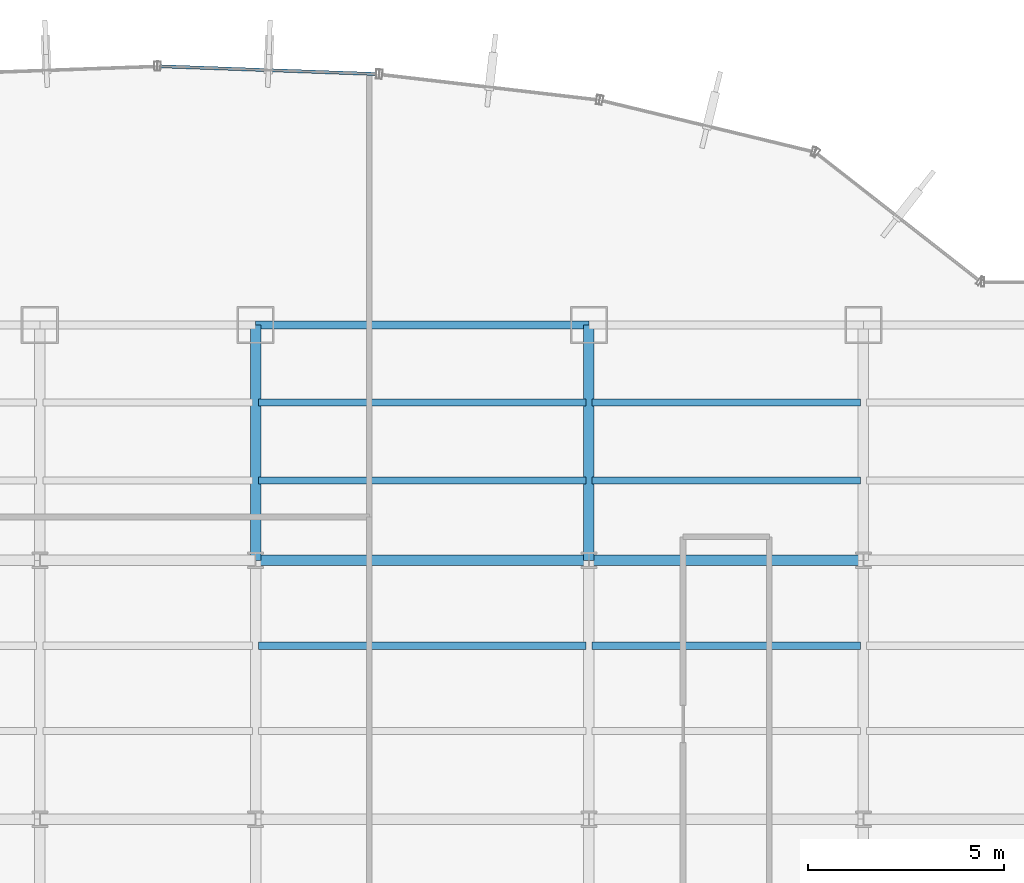
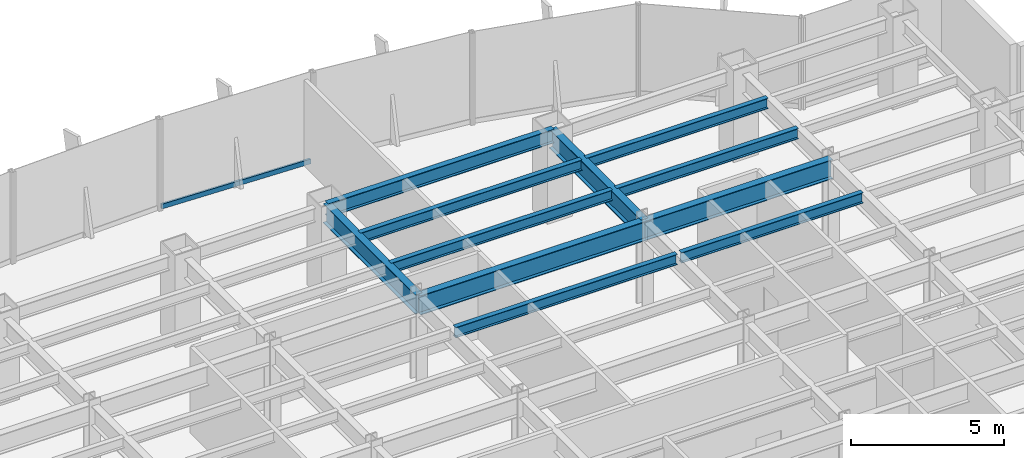
# One storey, part 13 of 22: 11 beams, 1 member, 1 element without a shape of its own.
"""IFC4 building model written with IfcOpenShell, lengths in metres."""

from ifc_helpers import new_model, si_unit, derived_unit, direction, frame, origin, origin_2d, place, context, subcontext, project, spatial, hollow_rectangle, i_section, extrude, source, transform, mapped, material, material_profile, profile_set, type_object, element, aggregate, save


model = new_model("IFC4")

# Units and contexts
model_context = context("Model", 3, precision=1e-05, world=origin(), true_north=direction((0.0, 1.0)))
body_context = subcontext(model_context, "Body", "Model", "MODEL_VIEW")
ifc_project = project(units=[si_unit("LENGTHUNIT", "METRE"), si_unit("AREAUNIT", "SQUARE_METRE"), si_unit("VOLUMEUNIT", "CUBIC_METRE"), si_unit("PLANEANGLEUNIT", "RADIAN"), si_unit("MASSUNIT", "GRAM", prefix="KILO"), derived_unit("THERMALTRANSMITTANCEUNIT", [(si_unit("POWERUNIT", "WATT"), 1), (si_unit("LENGTHUNIT", "METRE"), -2), (si_unit("THERMODYNAMICTEMPERATUREUNIT", "KELVIN"), -1)])], contexts=[model_context])

# Site, building, storey
site_placement = place(None, origin())
site = spatial("IfcSite", under=ifc_project, at=site_placement, CompositionType="ELEMENT")
building_placement = place(site_placement, origin())
building = spatial("IfcBuilding", under=site, at=building_placement, Name="Skarnbrae Concourse Arena and Tower", CompositionType="ELEMENT")
storey_placement = place(building_placement, frame((0.0, 0.0, 69.0)))
storey = spatial("IfcBuildingStorey", under=building, at=storey_placement, Name="L16", CompositionType="ELEMENT", Elevation=69.0)

# Beams
ifc_material_1 = material(Name="Steel CSA G40.21 350W", Category="steel")
ifc_material_profile_1 = material_profile(ifc_material_1, i_section(OverallWidth=0.26806640625, OverallDepth=0.77001953125, WebThickness=0.015625, FlangeThickness=0.025390625, at=origin_2d()), Name="W760X196")
ifc_profile_set_1 = profile_set([ifc_material_profile_1], Name="Steel CSA G40.21 350W")
beam_type_1 = type_object("IfcBeamType", Name="BM-GIRD-W760X196", PredefinedType="BEAM", material=ifc_profile_set_1)
shared_shape_1 = source(origin(), body_context, "Body", "SweptSolid", [
    extrude(i_section(OverallWidth=0.26806640625, OverallDepth=0.77001953125, WebThickness=0.015625, FlangeThickness=0.025390625, at=origin_2d()), origin(), (0.0, 0.0, 1.0), 7.0),
])
beam_1_placement = place(storey_placement, frame((42.0, 34.39990234375, 3.014892578125), z_axis=(1.0, 0.0, 0.0), x_axis=(0.0, 1.0, 0.0)))
element("IfcBeam", 1, at=beam_1_placement, inside=storey, type_object=beam_type_1, Name="L16 Primary E-W girder Y34.4-7", PredefinedType="BEAM", context=body_context, shape_type="MappedRepresentation", body=[
    mapped(shared_shape_1, transform((0.0, 0.0, 0.0))),
])
shared_shape_2 = source(origin(), body_context, "Body", "SweptSolid", [
    extrude(i_section(OverallWidth=0.26806640625, OverallDepth=0.77001953125, WebThickness=0.015625, FlangeThickness=0.025390625, at=origin_2d()), origin(), (0.0, 0.0, 1.0), 8.5),
])
beam_2_placement = place(storey_placement, frame((33.5, 34.39990234375, 3.014892578125), z_axis=(1.0, 0.0, 0.0), x_axis=(0.0, 1.0, 0.0)))
element("IfcBeam", 2, at=beam_2_placement, inside=storey, type_object=beam_type_1, Name="L16 Primary E-W girder Y34.4-6", PredefinedType="BEAM", context=body_context, shape_type="MappedRepresentation", body=[
    mapped(shared_shape_2, transform((0.0, 0.0, 0.0))),
])
shared_shape_3 = source(origin(), body_context, "Body", "SweptSolid", [
    extrude(i_section(OverallWidth=0.26806640625, OverallDepth=0.77001953125, WebThickness=0.015625, FlangeThickness=0.025390625, at=origin_2d()), origin(), (0.0, 0.0, 1.0), 6.0),
])
for number, where, z_axis, x_axis, name in (
    (3, (33.5, 34.39990234375, 3.014892578125), (0.0, 1.0, 0.0), (-1.0, 0.0, 0.0), "L16 Primary N-S girder X33.5-4"),
    (4, (42.0, 34.39990234375, 3.014892578125), (0.0, 1.0, 0.0), (-1.0, 0.0, 0.0), "L16 Primary N-S girder X42.0-5"),
):
    element("IfcBeam", number, at=place(storey_placement, frame(where, z_axis=z_axis, x_axis=x_axis)), inside=storey, type_object=beam_type_1, Name=name, PredefinedType="BEAM", context=body_context, shape_type="MappedRepresentation", body=[
        mapped(shared_shape_3, transform((0.0, 0.0, 0.0))),
    ])
ifc_material_profile_2 = material_profile(ifc_material_1, i_section(OverallWidth=0.214111328125, OverallDepth=0.549072265625, WebThickness=0.0146484375, FlangeThickness=0.023681640625, at=origin_2d()), Name="W530X138")
ifc_profile_set_2 = profile_set([ifc_material_profile_2], Name="Steel CSA G40.21 350W")
beam_type_2 = type_object("IfcBeamType", Name="BM-SPAN-W530X138", PredefinedType="SPANDREL", material=ifc_profile_set_2)
shared_shape_4 = source(origin(), body_context, "Body", "SweptSolid", [
    extrude(i_section(OverallWidth=0.214111328125, OverallDepth=0.549072265625, WebThickness=0.0146484375, FlangeThickness=0.023681640625, at=origin_2d()), origin(), (0.0, 0.0, 1.0), 8.5),
])
beam_3_placement = place(storey_placement, frame((33.5, 40.39990234375, 3.12548828125), z_axis=(1.0, 0.0, 0.0), x_axis=(0.0, 1.0, 0.0)))
element("IfcBeam", 5, at=beam_3_placement, inside=storey, type_object=beam_type_2, Name="L16 Perimeter spandrel Y40.4-5", PredefinedType="SPANDREL", context=body_context, shape_type="MappedRepresentation", body=[
    mapped(shared_shape_4, transform((0.0, 0.0, 0.0))),
])
ifc_material_profile_3 = material_profile(ifc_material_1, i_section(OverallWidth=0.180908203125, OverallDepth=0.4169921875, WebThickness=0.010986328125, FlangeThickness=0.018310546875, at=origin_2d()), Name="W410X85")
ifc_profile_set_3 = profile_set([ifc_material_profile_3], Name="Steel CSA G40.21 350W")
beam_type_3 = type_object("IfcBeamType", Name="BM-JOIST-W410X85", PredefinedType="JOIST", material=ifc_profile_set_3)
shared_shape_5 = source(origin(), body_context, "Body", "SweptSolid", [
    extrude(i_section(OverallWidth=0.180908203125, OverallDepth=0.4169921875, WebThickness=0.010986328125, FlangeThickness=0.018310546875, at=origin_2d()), origin(), (0.0, 0.0, 1.0), 8.33984375),
])
for number, where, z_axis, x_axis, name in (
    (6, (33.580078125, 32.221923828125, 3.19140625), (1.0, 0.0, 0.0), (0.0, 1.0, 0.0), "L16 Secondary floor joist 3.2.6"),
    (7, (33.580078125, 36.43994140625, 3.19140625), (1.0, 0.0, 0.0), (0.0, 1.0, 0.0), "L16 Secondary floor joist 4.1.5"),
    (8, (33.580078125, 38.419921875, 3.19140625), (1.0, 0.0, 0.0), (0.0, 1.0, 0.0), "L16 Secondary floor joist 4.2.5"),
):
    element("IfcBeam", number, at=place(storey_placement, frame(where, z_axis=z_axis, x_axis=x_axis)), inside=storey, type_object=beam_type_3, Name=name, PredefinedType="JOIST", context=body_context, shape_type="MappedRepresentation", body=[
        mapped(shared_shape_5, transform((0.0, 0.0, 0.0))),
    ])
shared_shape_6 = source(origin(), body_context, "Body", "SweptSolid", [
    extrude(i_section(OverallWidth=0.180908203125, OverallDepth=0.4169921875, WebThickness=0.010986328125, FlangeThickness=0.018310546875, at=origin_2d()), origin(), (0.0, 0.0, 1.0), 6.83984375),
])
for number, where, z_axis, x_axis, name in (
    (9, (42.080078125, 32.221923828125, 3.19140625), (1.0, 0.0, 0.0), (0.0, 1.0, 0.0), "L16 Secondary floor joist 3.2.7"),
    (10, (42.080078125, 36.43994140625, 3.19140625), (1.0, 0.0, 0.0), (0.0, 1.0, 0.0), "L16 Secondary floor joist 4.1.6"),
    (11, (42.080078125, 38.419921875, 3.19140625), (1.0, 0.0, 0.0), (0.0, 1.0, 0.0), "L16 Secondary floor joist 4.2.6"),
):
    element("IfcBeam", number, at=place(storey_placement, frame(where, z_axis=z_axis, x_axis=x_axis)), inside=storey, type_object=beam_type_3, Name=name, PredefinedType="JOIST", context=body_context, shape_type="MappedRepresentation", body=[
        mapped(shared_shape_6, transform((0.0, 0.0, 0.0))),
    ])

# Curtain wall, member
ifc_material_2 = material(Name="Bronze anodised aluminium 6063-T6", Category="aluminium")
curtain_wall_type = type_object("IfcCurtainWallType", Name="CW-SYS-02-LOWZONE", PredefinedType="USERDEFINED", material=ifc_material_2)
curtain_wall_placement = place(storey_placement, origin())
curtain_wall = element("IfcCurtainWall", 12, at=curtain_wall_placement, inside=storey, type_object=curtain_wall_type, Name="L16 Unitised curtain wall CW-L16-E11", ObjectType="UNITISED CURTAIN WALL", PredefinedType="USERDEFINED")
ifc_material_profile_4 = material_profile(ifc_material_2, hollow_rectangle(XDim=0.080078125, YDim=0.18994140625, WallThickness=0.0048828125, at=origin_2d()), Name="ALU-TRAN-80X190")
ifc_profile_set_4 = profile_set([ifc_material_profile_4], Name="Bronze anodised aluminium 6063-T6")
member_type = type_object("IfcMemberType", Name="CWT-CW-02", PredefinedType="USERDEFINED", material=ifc_profile_set_4)
shared_shape_7 = source(origin(), body_context, "Body", "SweptSolid", [
    extrude(hollow_rectangle(XDim=0.080078125, YDim=0.18994140625, WallThickness=0.0048828125, at=origin_2d()), origin(), (0.0, 0.0, 1.0), 5.497802734375),
])
member_placement = place(storey_placement, frame((36.573974609375, 46.7998046875, 0.094970703125), z_axis=(-0.999356047798, 0.03588160712, 0.0), x_axis=(-0.03588160712, -0.999356047798, 0.0)))
member = element("IfcMember", 13, at=member_placement, type_object=member_type, Name="CW-L16-E11 Transom 1", ObjectType="TRANSOM", PredefinedType="USERDEFINED", context=body_context, shape_type="MappedRepresentation", body=[
    mapped(shared_shape_7, transform((0.0, 0.0, 0.0))),
])
aggregate(curtain_wall, [member])

save(model, "model.ifc")
